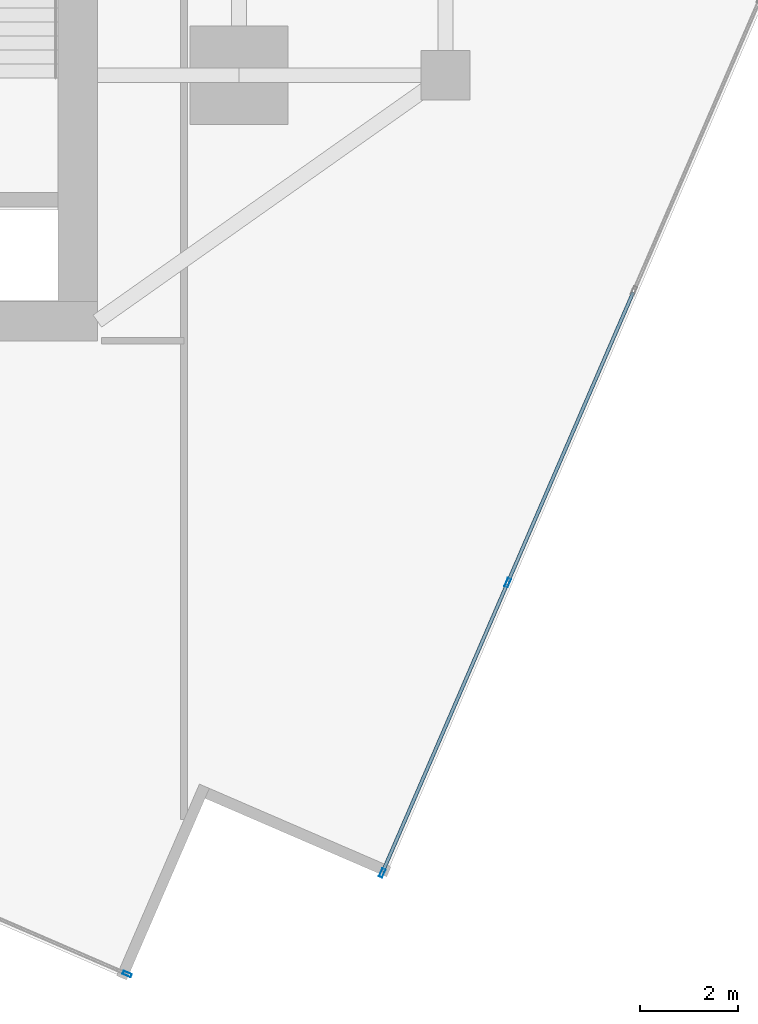
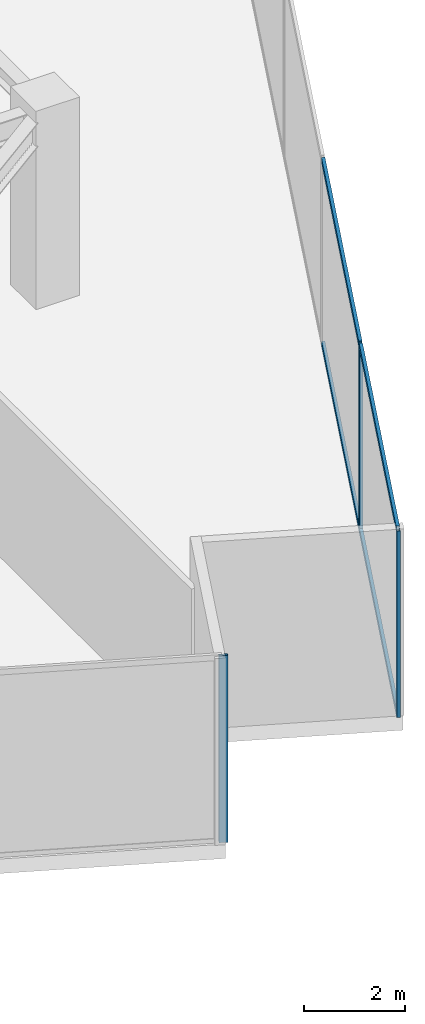
# One storey, part 8 of 24: 7 members, 2 elements without a shape of their own.
"""IFC4 building model written with IfcOpenShell, lengths in metres."""

from ifc_helpers import new_model, si_unit, direction, frame, origin, origin_2d, place, context, subcontext, project, spatial, hollow_rectangle, extrude, source, transform, mapped, material, material_profile, profile_set, type_object, type_shapes, element, aggregate, save


model = new_model("IFC4")

# Units and contexts
model_context = context("Model", 3, precision=1e-05, world=origin(), true_north=direction((0.0, 1.0)))
body_context = subcontext(model_context, "Body", "Model", "MODEL_VIEW")
ifc_project = project(units=[si_unit("LENGTHUNIT", "METRE"), si_unit("AREAUNIT", "SQUARE_METRE"), si_unit("VOLUMEUNIT", "CUBIC_METRE"), si_unit("PLANEANGLEUNIT", "RADIAN"), si_unit("MASSUNIT", "GRAM", prefix="KILO")], contexts=[model_context])

# Site, building, storey
site_placement = place(None, origin())
site = spatial("IfcSite", under=ifc_project, at=site_placement, CompositionType="ELEMENT")
building_placement = place(site_placement, origin())
building = spatial("IfcBuilding", under=site, at=building_placement, Name="Krantzveldt Concourse Tower", CompositionType="ELEMENT")
storey_placement = place(building_placement, frame((0.0, 0.0, 141.39990234375)))
storey = spatial("IfcBuildingStorey", under=building, at=storey_placement, Name="L34", CompositionType="ELEMENT", Elevation=141.39990234375)

# Curtain wall, members
ifc_material = material(Name="Anodised aluminium 6063-T6", Category="aluminium")
curtain_wall_type = type_object("IfcCurtainWallType", Name="CW5", PredefinedType="USERDEFINED", material=ifc_material)
curtain_wall_1_placement = place(storey_placement, origin())
curtain_wall_1 = element("IfcCurtainWall", 1, at=curtain_wall_1_placement, inside=storey, type_object=curtain_wall_type, Name="CW-L34-F07", ObjectType="UNITISED CURTAIN WALL", PredefinedType="USERDEFINED")
ifc_material_profile_1 = material_profile(ifc_material, hollow_rectangle(XDim=0.070068359375, YDim=0.139892578125, WallThickness=0.0048828125, at=origin_2d()), Name="Anodised aluminium 6063-T6", Category="aluminium")
ifc_profile_set_1 = profile_set([ifc_material_profile_1], Name="Anodised aluminium 6063-T6 - ALU-TRAN 140x70x5")
member_type_1 = type_object("IfcMemberType", Name="CW-TRN-150", PredefinedType="USERDEFINED", material=ifc_profile_set_1)
shared_shape_1 = source(origin(), body_context, "Body", "SweptSolid", [
    extrude(hollow_rectangle(XDim=0.070068359375, YDim=0.139892578125, WallThickness=0.0048828125, at=origin_2d()), origin(), (0.0, 0.0, 1.0), 6.361572265625),
])
member_1_placement = place(storey_placement, frame((49.727783203125, -0.291748046875, 0.03515625), z_axis=(0.396738129747, 0.91793183647, 0.0), x_axis=(-0.91793183647, 0.396738129747, 0.0)))
member_1 = element("IfcMember", 2, at=member_1_placement, type_object=member_type_1, Name="CW-SKY transom 1.1", ObjectType="TRANSOM", PredefinedType="USERDEFINED", context=body_context, shape_type="MappedRepresentation", body=[
    mapped(shared_shape_1, transform((0.0, 0.0, 0.0), x_axis=(1.0, 0.0, 0.0), y_axis=(0.0, 1.0, 0.0), z_axis=(0.0, 0.0, 1.0), scale=1.0)),
])
member_2_placement = place(storey_placement, frame((49.727783203125, -0.291748046875, 4.485107421875), z_axis=(0.396738129747, 0.91793183647, 0.0), x_axis=(-0.91793183647, 0.396738129747, 0.0)))
member_2 = element("IfcMember", 3, at=member_2_placement, type_object=member_type_1, Name="CW-SKY transom 1.2", ObjectType="TRANSOM", PredefinedType="USERDEFINED", context=body_context, shape_type="MappedRepresentation", body=[
    mapped(shared_shape_1, transform((0.0, 0.0, 0.0), x_axis=(1.0, 0.0, 0.0), y_axis=(0.0, 1.0, 0.0), z_axis=(0.0, 0.0, 1.0), scale=1.0)),
])
shared_shape_2 = source(origin(), body_context, "Body", "SweptSolid", [
    extrude(hollow_rectangle(XDim=0.070068359375, YDim=0.139892578125, WallThickness=0.0048828125, at=origin_2d()), origin(), (0.0, 0.0, 1.0), 6.396484375),
])
type_shapes(member_type_1, [shared_shape_1, shared_shape_2])
member_3_placement = place(storey_placement, frame((52.279541015625, 5.612060546875, 0.03515625), z_axis=(0.396750371663, 0.91792654531, 0.0), x_axis=(-0.91792654531, 0.396750371663, 0.0)))
member_3 = element("IfcMember", 4, at=member_3_placement, type_object=member_type_1, Name="CW-SKY transom 2.1", ObjectType="TRANSOM", PredefinedType="USERDEFINED", context=body_context, shape_type="MappedRepresentation", body=[
    mapped(shared_shape_2, transform((0.0, 0.0, 0.0), x_axis=(1.0, 0.0, 0.0), y_axis=(0.0, 1.0, 0.0), z_axis=(0.0, 0.0, 1.0), scale=1.0)),
])
member_4_placement = place(storey_placement, frame((52.279541015625, 5.612060546875, 4.485107421875), z_axis=(0.396750371663, 0.91792654531, 0.0), x_axis=(-0.91792654531, 0.396750371663, 0.0)))
member_4 = element("IfcMember", 5, at=member_4_placement, type_object=member_type_1, Name="CW-SKY transom 2.2", ObjectType="TRANSOM", PredefinedType="USERDEFINED", context=body_context, shape_type="MappedRepresentation", body=[
    mapped(shared_shape_2, transform((0.0, 0.0, 0.0), x_axis=(1.0, 0.0, 0.0), y_axis=(0.0, 1.0, 0.0), z_axis=(0.0, 0.0, 1.0), scale=1.0)),
])

# Curtain wall, member
curtain_wall_2_placement = place(storey_placement, origin())
curtain_wall_2 = element("IfcCurtainWall", 6, at=curtain_wall_2_placement, inside=storey, type_object=curtain_wall_type, Name="CW-L34-F04", ObjectType="UNITISED CURTAIN WALL", PredefinedType="USERDEFINED")
ifc_material_profile_2 = material_profile(ifc_material, hollow_rectangle(XDim=0.070068359375, YDim=0.179931640625, WallThickness=0.0048828125, at=origin_2d()), Name="Anodised aluminium 6063-T6", Category="aluminium")
ifc_profile_set_2 = profile_set([ifc_material_profile_2], Name="Anodised aluminium 6063-T6 - ALU-MULL 180x70x5")
member_type_2 = type_object("IfcMemberType", Name="CW-MUL-180", PredefinedType="MULLION", material=ifc_profile_set_2)
shared_shape_3 = source(origin(), body_context, "Body", "SweptSolid", [
    extrude(hollow_rectangle(XDim=0.070068359375, YDim=0.179931640625, WallThickness=0.0048828125, at=origin_2d()), origin(), (0.0, 0.0, 1.0), 4.52001953125),
])
type_shapes(member_type_2, [shared_shape_3])
member_5_placement = place(storey_placement, frame((44.527587890625, -2.3798828125, 0.0), z_axis=(0.0, 0.0, 1.0), x_axis=(0.396747417177, 0.917927822306, 0.0)))
member_5 = element("IfcMember", 7, at=member_5_placement, type_object=member_type_2, Name="CW-SKY mullion 7", PredefinedType="MULLION", context=body_context, shape_type="MappedRepresentation", body=[
    mapped(shared_shape_3, transform((0.0, 0.0, 0.0), x_axis=(1.0, 0.0, 0.0), y_axis=(0.0, 1.0, 0.0), z_axis=(0.0, 0.0, 1.0), scale=1.0)),
])
aggregate(curtain_wall_2, [member_5])

# Member
member_6_placement = place(storey_placement, frame((49.7138671875, -0.32373046875, 0.0), z_axis=(0.0, 0.0, 1.0), x_axis=(-0.917927822306, 0.396747417177, 0.0)))
member_6 = element("IfcMember", 8, at=member_6_placement, type_object=member_type_2, Name="CW-SKY mullion 1", PredefinedType="MULLION", context=body_context, shape_type="MappedRepresentation", body=[
    mapped(shared_shape_3, transform((0.0, 0.0, 0.0), x_axis=(1.0, 0.0, 0.0), y_axis=(0.0, 1.0, 0.0), z_axis=(0.0, 0.0, 1.0), scale=1.0)),
])

member_7_placement = place(storey_placement, frame((52.265625, 5.579833984375, 0.0), z_axis=(0.0, 0.0, 1.0), x_axis=(-0.917927822306, 0.396747417177, 0.0)))
member_7 = element("IfcMember", 9, at=member_7_placement, type_object=member_type_2, Name="CW-SKY mullion 2", PredefinedType="MULLION", context=body_context, shape_type="MappedRepresentation", body=[
    mapped(shared_shape_3, transform((0.0, 0.0, 0.0), x_axis=(1.0, 0.0, 0.0), y_axis=(0.0, 1.0, 0.0), z_axis=(0.0, 0.0, 1.0), scale=1.0)),
])

aggregate(curtain_wall_1, [member_6, member_7, member_1, member_2, member_3, member_4])

save(model, "model.ifc")
